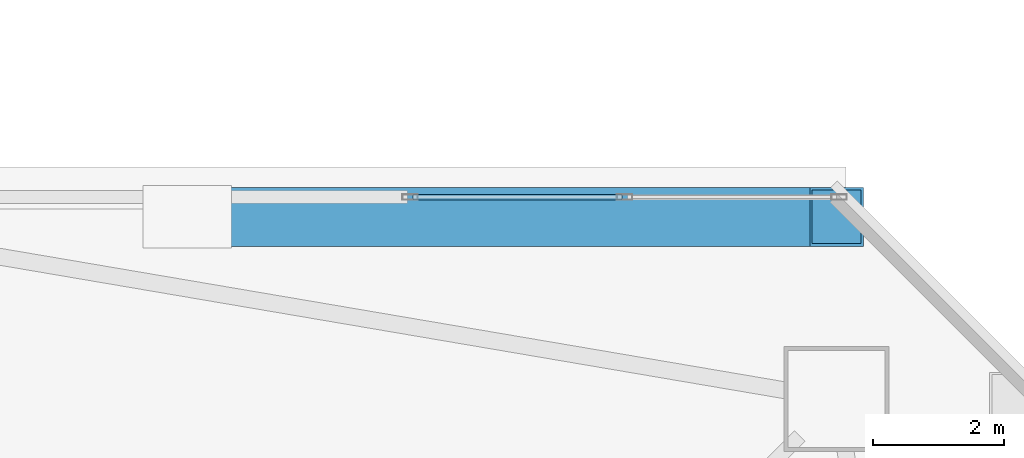
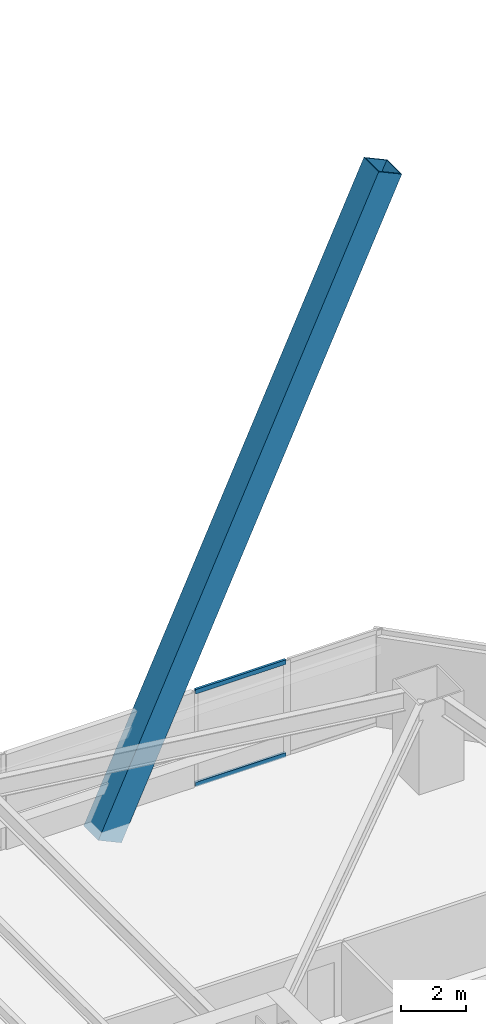
# One storey, part 29 of 75: 3 members, 1 element without a shape of its own.
"""IFC4 building model written with IfcOpenShell, lengths in metres."""

from ifc_helpers import new_model, si_unit, direction, frame, origin, origin_2d, place, context, subcontext, project, spatial, hollow_rectangle, extrude, material, material_profile, profile_set, type_object, element, aggregate, save


model = new_model("IFC4")

# Units and contexts
model_context = context("Model", 3, precision=1e-05, world=origin(), true_north=direction((0.0, 1.0)))
body_context = subcontext(model_context, "Body", "Model", "MODEL_VIEW")
ifc_project = project(units=[si_unit("LENGTHUNIT", "METRE"), si_unit("AREAUNIT", "SQUARE_METRE"), si_unit("VOLUMEUNIT", "CUBIC_METRE"), si_unit("PLANEANGLEUNIT", "RADIAN"), si_unit("MASSUNIT", "GRAM", prefix="KILO")], contexts=[model_context])

# Site, building, storey
site_placement = place(None, origin())
site = spatial("IfcSite", under=ifc_project, at=site_placement, CompositionType="ELEMENT")
building_placement = place(site_placement, origin())
building = spatial("IfcBuilding", under=site, at=building_placement, Name="Tashvorn Skyway Center", CompositionType="ELEMENT")
storey_placement = place(building_placement, frame((0.0, 0.0, 45.89990234375)))
storey = spatial("IfcBuildingStorey", under=building, at=storey_placement, Name="L11", CompositionType="ELEMENT", Elevation=45.89990234375)

# Curtain wall, members
ifc_material_1 = material(Name="Thermally broken bronze-anodized aluminium 6063-T6", Category="aluminium")
curtain_wall_type = type_object("IfcCurtainWallType", Name="CW-CW-Z1", PredefinedType="NOTDEFINED", material=ifc_material_1)
curtain_wall_placement = place(storey_placement, origin())
curtain_wall = element("IfcCurtainWall", 1, at=curtain_wall_placement, inside=storey, type_object=curtain_wall_type, Name="Tower 1 L11 North Unitised Curtain Wall Glazing Group 3", PredefinedType="NOTDEFINED")
ifc_material_profile_1 = material_profile(ifc_material_1, hollow_rectangle(XDim=0.0849609375, YDim=0.1650390625, WallThickness=0.0048828125, at=origin_2d()), Name="ALU-TRAN-85x165")
ifc_profile_set_1 = profile_set([ifc_material_profile_1], Name="Thermally broken bronze-anodized aluminium 6063-T6")
member_type_1 = type_object("IfcMemberType", Name="CWT-CW-Z1", PredefinedType="USERDEFINED", material=ifc_profile_set_1)
member_1_placement = place(storey_placement, frame((55.33837890625, 54.8798828125, 0.04248046875), z_axis=(1.0, 0.0, 0.0), x_axis=(0.0, 1.0, 0.0)))
member_1 = element("IfcMember", 2, at=member_1_placement, type_object=member_type_1, Name="CW-Z1 transom 1.1", ObjectType="TRANSOM", PredefinedType="USERDEFINED", context=body_context, shape_type="SweptSolid", body=[
    extrude(hollow_rectangle(XDim=0.0849609375, YDim=0.1650390625, WallThickness=0.0048828125, at=origin_2d()), origin(), (0.0, 0.0, 1.0), 3.185791015625),
])
member_2_placement = place(storey_placement, frame((55.33837890625, 54.8798828125, 3.507568359375), z_axis=(1.0, 0.0, 0.0), x_axis=(0.0, 1.0, 0.0)))
member_2 = element("IfcMember", 3, at=member_2_placement, type_object=member_type_1, Name="CW-Z1 transom 1.2", ObjectType="TRANSOM", PredefinedType="USERDEFINED", context=body_context, shape_type="SweptSolid", body=[
    extrude(hollow_rectangle(XDim=0.0849609375, YDim=0.1650390625, WallThickness=0.0048828125, at=origin_2d()), origin(), (0.0, 0.0, 1.0), 3.185791015625),
])
aggregate(curtain_wall, [member_1, member_2])

# Member
ifc_material_2 = material(Name="Steel ASTM A572 Grade 50", Category="steel")
ifc_material_profile_2 = material_profile(ifc_material_2, hollow_rectangle(XDim=0.89990234375, YDim=0.89990234375, WallThickness=0.0400390625, at=origin_2d()), Name="BOX900x900x40")
ifc_profile_set_2 = profile_set([ifc_material_profile_2], Name="Steel ASTM A572 Grade 50")
member_type_2 = type_object("IfcMemberType", Name="MEM-MB-900", PredefinedType="BRACE", material=ifc_profile_set_2)
member_3_placement = place(storey_placement, frame((51.89990234375, 54.580078125, -0.449951171875), z_axis=(0.418259378631, 0.0, 0.908327634825), x_axis=(0.0, 1.0, 0.0)))
element("IfcMember", 4, at=member_3_placement, inside=storey, type_object=member_type_2, Name="Tower 1 Zone 1 N Chevron Mega-Brace L2", PredefinedType="BRACE", context=body_context, shape_type="SweptSolid", body=[
    extrude(hollow_rectangle(XDim=0.89990234375, YDim=0.89990234375, WallThickness=0.0400390625, at=origin_2d()), origin(), (0.0, 0.0, 1.0), 23.669921875),
])

save(model, "model.ifc")
